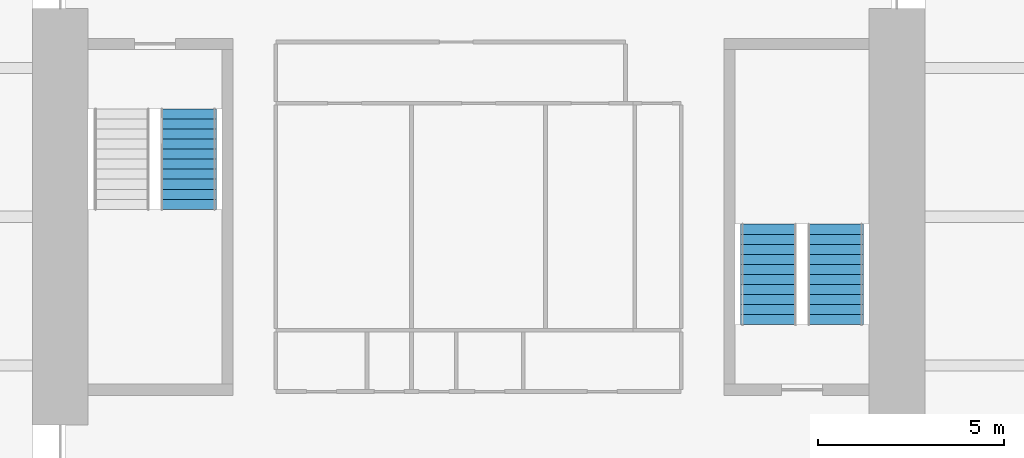
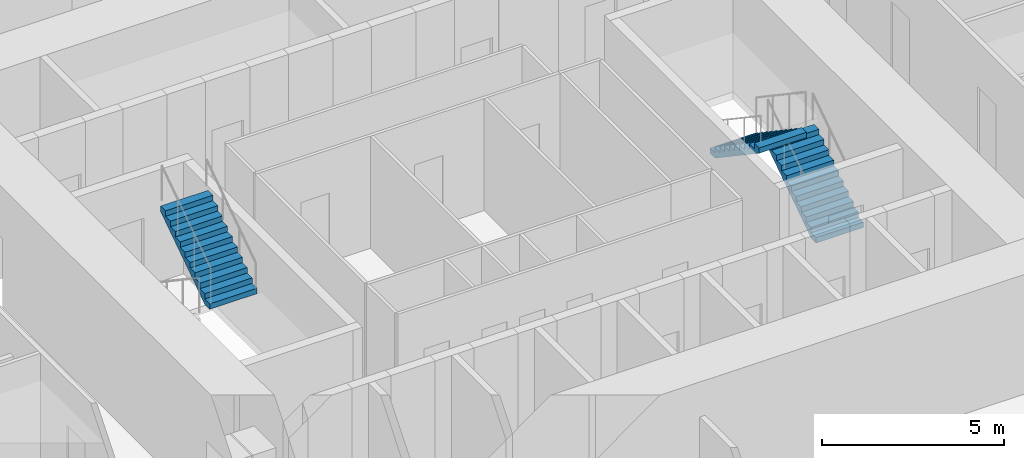
# One storey, part 16 of 17: 3 stair flights, 2 elements without a shape of their own.
"""IFC4 building model written with IfcOpenShell, lengths in metres."""

import ifcopenshell
import ifcopenshell.guid

model = None  # the IFC model being written
_history = None  # IfcOwnerHistory: only IFC2X3 demands one
_inside = {}  # id of a spatial element -> (the spatial element, [elements in it])
_under = {}  # id of a project, library or spatial element -> (it, [spatial elements below it])
_declared = {}  # id of a project -> (the project, [libraries it declares])
_typed = {}  # id of a type object -> (the type object, [elements of that type])
_made_of = {}  # id of a material, layer set ... -> (it, [elements and type objects made of it])


def new_model(schema):
    """Start an empty IFC model of exactly this schema.

    Asked for "IFC4X3", IfcOpenShell would pick the latest addendum, in which some entities
    have other attributes; the version numbers below select the first issue.
    IFC2X3 requires an IfcOwnerHistory on every rooted entity: one is made here for all.
    """
    global model, _history
    if schema == "IFC4X3":
        model = ifcopenshell.file(schema_version=(4, 3, 0, 0))
    else:
        model = ifcopenshell.file(schema=schema)
    _inside.clear()
    _under.clear()
    _declared.clear()
    _typed.clear()
    _made_of.clear()
    _history = None
    if model.schema == "IFC2X3":
        org = make("IfcOrganization", Name="unknown")
        user = make(
            "IfcPersonAndOrganization",
            ThePerson=make("IfcPerson", FamilyName="unknown"),
            TheOrganization=org,
        )
        app = make(
            "IfcApplication",
            ApplicationDeveloper=org,
            Version="unknown",
            ApplicationFullName="unknown",
            ApplicationIdentifier="unknown",
        )
        _history = make(
            "IfcOwnerHistory",
            OwningUser=user,
            OwningApplication=app,
            ChangeAction="ADDED",
            CreationDate=0,
        )
    return model


def make(cls, **values):
    """One entity of the class cls with the attributes given. An attribute that is None is left unset."""
    return model.create_entity(
        cls, **{name: value for name, value in values.items() if value is not None}
    )


def rooted(cls, **values):
    """An entity with a GlobalId (a new one), such as an element, a storey or a relation."""
    return make(cls, GlobalId=ifcopenshell.guid.new(), OwnerHistory=_history, **values)


def si_unit(unit_type, name, prefix=None):
    """IfcSIUnit, for example si_unit("LENGTHUNIT", "METRE", prefix="MILLI")."""
    return make("IfcSIUnit", UnitType=unit_type, Prefix=prefix, Name=name)


def assignment(units):
    """IfcUnitAssignment: the units of a project."""
    return None if units is None else make("IfcUnitAssignment", Units=units)


def point(xyz):
    """IfcCartesianPoint."""
    return None if xyz is None else make("IfcCartesianPoint", Coordinates=xyz)


def direction(xyz):
    """IfcDirection."""
    return None if xyz is None else make("IfcDirection", DirectionRatios=xyz)


def frame(location, z_axis=None, x_axis=None):
    """IfcAxis2Placement3D, a coordinate frame: its origin and axes. An axis left out is left unset."""
    return make(
        "IfcAxis2Placement3D",
        Location=point(location),
        Axis=direction(z_axis),
        RefDirection=direction(x_axis),
    )


def origin():
    """The frame at (0, 0, 0) with its axes left unset."""
    return frame((0.0, 0.0, 0.0))


def place(relative_to, where):
    """IfcLocalPlacement: puts the frame where relative to a parent placement (None: the world)."""
    return make(
        "IfcLocalPlacement", PlacementRelTo=relative_to, RelativePlacement=where
    )


def context(
    kind, dimensions, precision=None, world=None, true_north=None, identifier=None
):
    """IfcGeometricRepresentationContext, for example the 3D "Model" context."""
    return make(
        "IfcGeometricRepresentationContext",
        ContextIdentifier=identifier,
        ContextType=kind,
        CoordinateSpaceDimension=dimensions,
        Precision=precision,
        WorldCoordinateSystem=world,
        TrueNorth=true_north,
    )


def subcontext(parent, identifier, kind, view, scale=None):
    """IfcGeometricRepresentationSubContext, for example "Body" below "Model"."""
    return make(
        "IfcGeometricRepresentationSubContext",
        ContextIdentifier=identifier,
        ContextType=kind,
        ParentContext=parent,
        TargetScale=scale,
        TargetView=view,
    )


def project(units=None, contexts=None):
    """IfcProject with its units and contexts."""
    return rooted(
        "IfcProject",
        Name="project",
        RepresentationContexts=contexts,
        UnitsInContext=assignment(units),
    )


def spatial(cls, under=None, at=None, **own):
    """A site, building, storey or space (cls), placed at a placement, below another one or the project."""
    s = rooted(cls, ObjectPlacement=at, **own)
    if under is not None:
        _under.setdefault(under.id(), (under, []))[1].append(s)
    return s


def polyline(points):
    """IfcPolyline through the points."""
    return make("IfcPolyline", Points=[point(p) for p in points])


def outline(outer, holes=None, kind="AREA"):
    """IfcArbitraryClosedProfileDef: a profile drawn as a closed curve; with holes, ...WithVoids."""
    if holes is None:
        return make("IfcArbitraryClosedProfileDef", ProfileType=kind, OuterCurve=outer)
    return make(
        "IfcArbitraryProfileDefWithVoids",
        ProfileType=kind,
        OuterCurve=outer,
        InnerCurves=holes,
    )


def extrude(swept, where, along, depth):
    """IfcExtrudedAreaSolid: the profile swept, set in the frame where, extruded along a direction by depth."""
    return make(
        "IfcExtrudedAreaSolid",
        SweptArea=swept,
        Position=where,
        ExtrudedDirection=direction(along),
        Depth=depth,
    )


def shape(context_of_items, identifier, shape_type, items):
    """IfcShapeRepresentation: the items that make up one representation, for example the "Body"."""
    return make(
        "IfcShapeRepresentation",
        ContextOfItems=context_of_items,
        RepresentationIdentifier=identifier,
        RepresentationType=shape_type,
        Items=items,
    )


def material(Name=None, Category=None):
    """IfcMaterial."""
    return make("IfcMaterial", Name=Name, Category=Category)


def made_of(thing, what):
    """Note that an element or type object is made of a material, layer set ...; save() writes the relation."""
    if what is not None:
        _made_of.setdefault(what.id(), (what, []))[1].append(thing)
    return thing


def type_object(cls, material=None, **own):
    """A type object (cls), such as IfcWallType, which elements share."""
    return made_of(rooted(cls, **own), material)


def element(
    cls,
    number,
    at=None,
    inside=None,
    cuts=None,
    type_object=None,
    material=None,
    context=None,
    identifier="Body",
    shape_type=None,
    held_by="IfcProductDefinitionShape",
    body=None,
    shapes=None,
    **own,
):
    """One element of the class cls, such as IfcWall. Its Tag is "e" and its number.

    at: its placement. inside: the storey or other place that contains it. cuts: it is an
    opening in that element (IfcRelVoidsElement). A single representation is given by context,
    identifier, shape_type and body (its items); several are given by shapes. held_by: the class
    of the entity that holds the representations. save() writes the other relations.
    """
    e = rooted(cls, Tag="e%d" % number, ObjectPlacement=at, **own)
    if body is not None:
        shapes = [shape(context, identifier, shape_type, body)]
    if shapes is not None:
        e.Representation = make(held_by, Representations=shapes)
    if inside is not None:
        _inside.setdefault(inside.id(), (inside, []))[1].append(e)
    if cuts is not None:
        rooted(
            "IfcRelVoidsElement", RelatingBuildingElement=cuts, RelatedOpeningElement=e
        )
    if type_object is not None:
        _typed.setdefault(type_object.id(), (type_object, []))[1].append(e)
    return made_of(e, material)


def aggregate(whole, parts):
    """IfcRelAggregates: a whole, such as a stair, and the parts it consists of."""
    return rooted("IfcRelAggregates", RelatingObject=whole, RelatedObjects=parts)


def save(model, path):
    """Write the relations noted so far, then the file.

    IfcRelAggregates (storeys below a building ...), IfcRelContainedInSpatialStructure (elements
    in a storey), IfcRelDefinesByType, IfcRelAssociatesMaterial and IfcRelDeclares: one each for
    every whole, place, type object, material and project.
    """
    for whole, parts in _under.values():
        aggregate(whole, parts)
    for where, things in _inside.values():
        rooted(
            "IfcRelContainedInSpatialStructure",
            RelatedElements=things,
            RelatingStructure=where,
        )
    for kind, things in _typed.values():
        rooted("IfcRelDefinesByType", RelatedObjects=things, RelatingType=kind)
    for what, things in _made_of.values():
        rooted("IfcRelAssociatesMaterial", RelatedObjects=things, RelatingMaterial=what)
    for by, libraries in _declared.values():
        rooted("IfcRelDeclares", RelatingContext=by, RelatedDefinitions=libraries)
    model.write(path)


model = new_model("IFC4")

# Units and contexts
model_context = context("Model", 3, precision=1e-05, world=origin(), true_north=direction((0.0, 1.0)))
body_context = subcontext(model_context, "Body", "Model", "MODEL_VIEW")
ifc_project = project(units=[si_unit("LENGTHUNIT", "METRE"), si_unit("AREAUNIT", "SQUARE_METRE"), si_unit("VOLUMEUNIT", "CUBIC_METRE"), si_unit("PLANEANGLEUNIT", "RADIAN"), si_unit("MASSUNIT", "GRAM", prefix="KILO")], contexts=[model_context])

# Site, building, storey
site_placement = place(None, origin())
site = spatial("IfcSite", under=ifc_project, at=site_placement, CompositionType="ELEMENT")
building_placement = place(site_placement, origin())
building = spatial("IfcBuilding", under=site, at=building_placement, Name="Peilmerk Tower", CompositionType="ELEMENT")
storey_placement = place(building_placement, frame((0.0, 0.0, 143.800048828125)))
storey = spatial("IfcBuildingStorey", under=building, at=storey_placement, Name="L29", CompositionType="ELEMENT", Elevation=143.800048828125)

# Stair, stair flight
ifc_material = material(Name="Precast concrete C45/55", Category="concrete")
stair_type_1 = type_object("IfcStairType", Name="ST1 22 risers of 181.8", PredefinedType="HALF_TURN_STAIR", material=ifc_material)
stair_1_placement = place(storey_placement, origin())
stair_1 = element("IfcStair", 1, at=stair_1_placement, inside=storey, type_object=stair_type_1, Name="Stair 1 L29 to L30", PredefinedType="HALF_TURN_STAIR")
stair_flight_type = type_object("IfcStairFlightType", Name="SF11 flight, 11 risers of 181.8", PredefinedType="STRAIGHT", material=ifc_material)
stair_flight_1_placement = place(storey_placement, frame((-7.800048828125, 0.199951171875, 2.0), z_axis=(0.0, 0.0, 1.0), x_axis=(0.0, 1.0, 0.0)))
stair_flight_1 = element("IfcStairFlight", 2, at=stair_flight_1_placement, type_object=stair_flight_type, Name="ST1 flight 2", NumberOfRisers=11, NumberOfTreads=10, PredefinedType="STRAIGHT", RiserHeight=0.181818182, TreadLength=0.27, context=body_context, shape_type="SweptSolid", body=[
    extrude(outline(polyline([(0.0, 0.0), (0.0, 0.181884765625), (0.27001953125, 0.181884765625), (0.27001953125, 0.363525390625), (0.5400390625, 0.363525390625), (0.5400390625, 0.54541015625), (0.81005859375, 0.54541015625), (0.81005859375, 0.727294921875), (1.080078125, 0.727294921875), (1.080078125, 0.9091796875), (1.35009765625, 0.9091796875), (1.35009765625, 1.0908203125), (1.6201171875, 1.0908203125), (1.6201171875, 1.272705078125), (1.889892578125, 1.272705078125), (1.889892578125, 1.45458984375), (2.159912109375, 1.45458984375), (2.159912109375, 1.636474609375), (2.429931640625, 1.636474609375), (2.429931640625, 1.818115234375), (2.699951171875, 1.818115234375), (2.699951171875, 2.0), (2.699951171875, 1.637451171875), (0.268310546875, 0.0), (0.0, 0.0)])), frame((0.0, 0.75, 0.0), z_axis=(0.0, -1.0, 0.0), x_axis=(1.0, 0.0, 0.0)), (0.0, 0.0, 1.0), 1.5),
])
aggregate(stair_1, [stair_flight_1])

# Stair, stair flights
stair_type_2 = type_object("IfcStairType", Name="ST2 22 risers of 181.8", PredefinedType="HALF_TURN_STAIR", material=ifc_material)
stair_2_placement = place(storey_placement, origin())
stair_2 = element("IfcStair", 3, at=stair_2_placement, inside=storey, type_object=stair_type_2, Name="Stair 2 L29 to L30", PredefinedType="HALF_TURN_STAIR")
stair_flight_2_placement = place(storey_placement, frame((9.60009765625, -2.89990234375, 0.0), z_axis=(0.0, 0.0, 1.0), x_axis=(0.0, 1.0, 0.0)))
stair_flight_2 = element("IfcStairFlight", 4, at=stair_flight_2_placement, type_object=stair_flight_type, Name="ST2 flight 1", NumberOfRisers=11, NumberOfTreads=10, PredefinedType="STRAIGHT", RiserHeight=0.181818182, TreadLength=0.27, context=body_context, shape_type="SweptSolid", body=[
    extrude(outline(polyline([(0.0, 0.0), (0.0, 0.181884765625), (0.27001953125, 0.181884765625), (0.27001953125, 0.363525390625), (0.5400390625, 0.363525390625), (0.5400390625, 0.54541015625), (0.81005859375, 0.54541015625), (0.81005859375, 0.727294921875), (1.080078125, 0.727294921875), (1.080078125, 0.9091796875), (1.35009765625, 0.9091796875), (1.35009765625, 1.0908203125), (1.6201171875, 1.0908203125), (1.6201171875, 1.272705078125), (1.889892578125, 1.272705078125), (1.889892578125, 1.45458984375), (2.159912109375, 1.45458984375), (2.159912109375, 1.636474609375), (2.429931640625, 1.636474609375), (2.429931640625, 1.818115234375), (2.699951171875, 1.818115234375), (2.699951171875, 2.0), (2.699951171875, 1.637451171875), (0.268310546875, 0.0), (0.0, 0.0)])), frame((0.0, 0.75, 0.0), z_axis=(0.0, -1.0, 0.0), x_axis=(1.0, 0.0, 0.0)), (0.0, 0.0, 1.0), 1.5),
])
stair_flight_3_placement = place(storey_placement, frame((7.800048828125, -0.199951171875, 2.0), z_axis=(0.0, 0.0, 1.0), x_axis=(0.0, -1.0, 0.0)))
stair_flight_3 = element("IfcStairFlight", 5, at=stair_flight_3_placement, type_object=stair_flight_type, Name="ST2 flight 2", NumberOfRisers=11, NumberOfTreads=10, PredefinedType="STRAIGHT", RiserHeight=0.181818182, TreadLength=0.27, context=body_context, shape_type="SweptSolid", body=[
    extrude(outline(polyline([(0.0, 0.0), (0.0, 0.181884765625), (0.27001953125, 0.181884765625), (0.27001953125, 0.363525390625), (0.5400390625, 0.363525390625), (0.5400390625, 0.54541015625), (0.81005859375, 0.54541015625), (0.81005859375, 0.727294921875), (1.080078125, 0.727294921875), (1.080078125, 0.9091796875), (1.35009765625, 0.9091796875), (1.35009765625, 1.0908203125), (1.6201171875, 1.0908203125), (1.6201171875, 1.272705078125), (1.889892578125, 1.272705078125), (1.889892578125, 1.45458984375), (2.159912109375, 1.45458984375), (2.159912109375, 1.636474609375), (2.429931640625, 1.636474609375), (2.429931640625, 1.818115234375), (2.699951171875, 1.818115234375), (2.699951171875, 2.0), (2.699951171875, 1.637451171875), (0.268310546875, 0.0), (0.0, 0.0)])), frame((0.0, 0.75, 0.0), z_axis=(0.0, -1.0, 0.0), x_axis=(1.0, 0.0, 0.0)), (0.0, 0.0, 1.0), 1.5),
])
aggregate(stair_2, [stair_flight_2, stair_flight_3])

save(model, "model.ifc")
